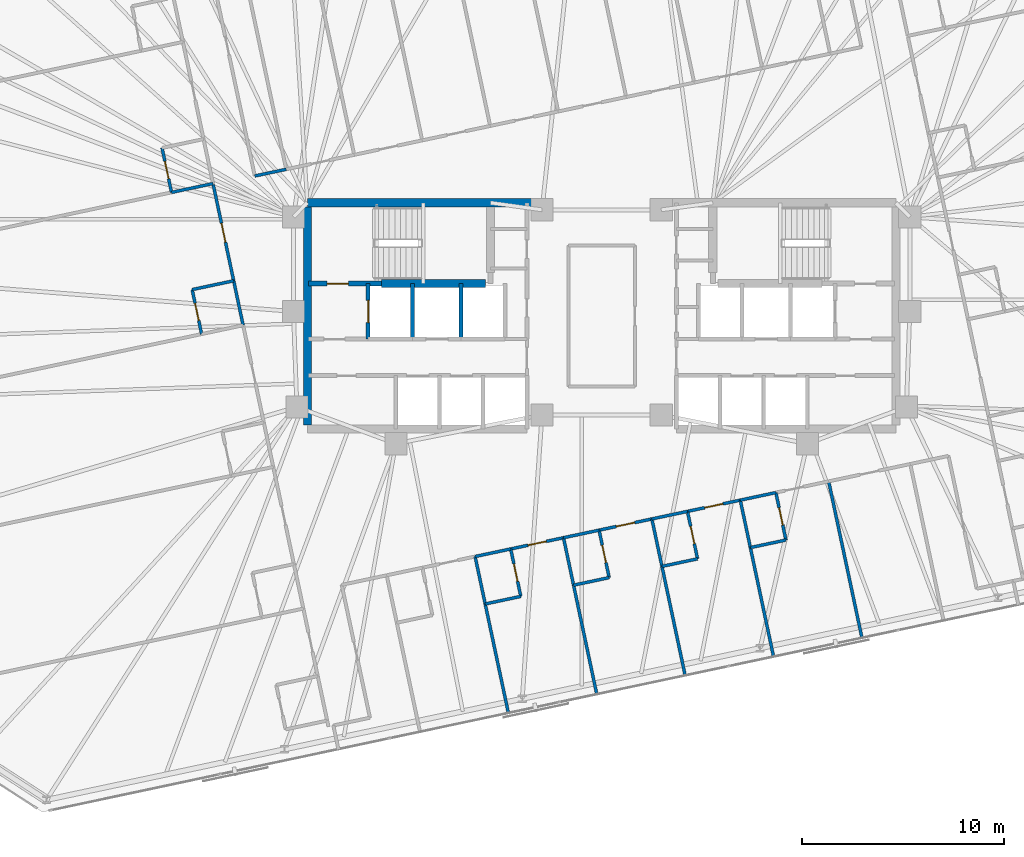
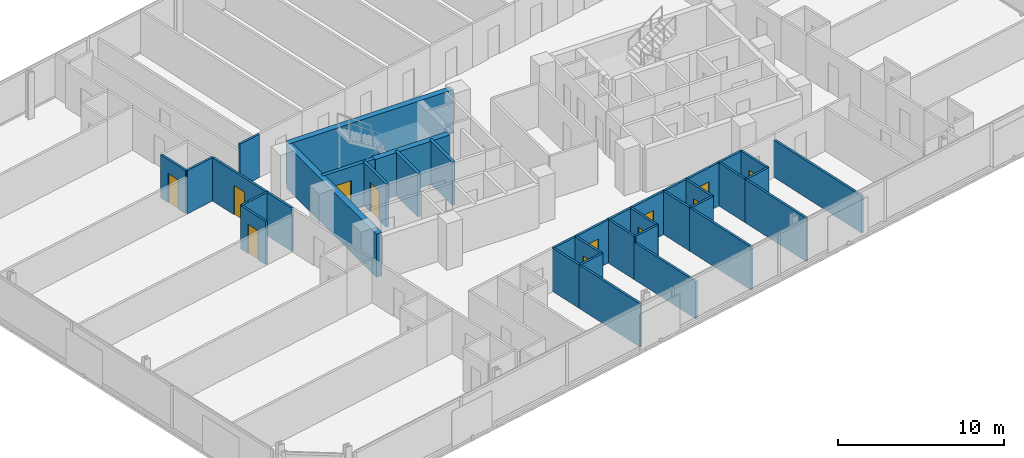
# One storey, part 15 of 21: 38 walls, 12 doors, 12 openings.
"""IFC4 building model written with IfcOpenShell, lengths in metres."""

from ifc_helpers import new_model, si_unit, direction, frame, frame_2d, origin, place, context, subcontext, project, spatial, rectangle, extrude, material, layer, layer_set, type_object, element, fill, save


model = new_model("IFC4")

# Units and contexts
model_context = context("Model", 3, precision=1e-05, world=origin(), true_north=direction((0.0, 1.0)))
body_context = subcontext(model_context, "Body", "Model", "MODEL_VIEW")
ifc_project = project(units=[si_unit("LENGTHUNIT", "METRE"), si_unit("AREAUNIT", "SQUARE_METRE"), si_unit("VOLUMEUNIT", "CUBIC_METRE"), si_unit("PLANEANGLEUNIT", "RADIAN"), si_unit("MASSUNIT", "GRAM", prefix="KILO")], contexts=[model_context])

# Site, building, storey
site_placement = place(None, origin())
site = spatial("IfcSite", under=ifc_project, at=site_placement, CompositionType="ELEMENT")
building_placement = place(site_placement, origin())
building = spatial("IfcBuilding", under=site, at=building_placement, Name="Menara Jurai Vektor", CompositionType="ELEMENT")
storey_placement = place(building_placement, frame((0.0, 0.0, 188.800048828125)))
storey = spatial("IfcBuildingStorey", under=building, at=storey_placement, Name="L49", CompositionType="ELEMENT", Elevation=188.800048828125)

# Wall, opening, door
ifc_material_1 = material(Name="Concrete C40/50", Category="concrete")
ifc_layer_1 = layer(ifc_material_1, 0.25)
ifc_layer_set_1 = layer_set([ifc_layer_1], Name="Concrete C40/50")
wall_type_1 = type_object("IfcWallType", Name="INT-WALL-CORE-250", PredefinedType="STANDARD", material=ifc_layer_set_1)
wall_1_placement = place(storey_placement, frame((-14.5, 1.60009765625, 0.0), z_axis=(0.0, 0.0, 1.0), x_axis=(1.0, 0.0, 0.0)))
wall_1 = element("IfcWall", 1, at=wall_1_placement, inside=storey, type_object=wall_type_1, Name="Interior Wall IW-250 L49", PredefinedType="STANDARD", context=body_context, shape_type="SweptSolid", body=[
    extrude(rectangle(XDim=3.60009765625, YDim=0.25, at=frame_2d((1.800048828125, 0.0))), origin(), (0.0, 0.0, 1.0), 3.175048828125),
])
opening_1_placement = place(wall_1_placement, frame((0.919921875, 0.0, 0.0)))
opening_1 = element("IfcOpeningElement", 2, at=opening_1_placement, cuts=wall_1, Name="Opening D-L49-ST1", PredefinedType="OPENING", context=body_context, shape_type="SweptSolid", body=[
    extrude(rectangle(XDim=1.050048828125, YDim=2.14990234375, at=frame_2d((0.52490234375, 1.074951171875))), frame((0.0, 0.135009765625, 0.0), z_axis=(0.0, -1.0, 0.0), x_axis=(1.0, 0.0, 0.0)), (0.0, 0.0, 1.0), 0.27001953125),
])
ifc_material_2 = material(Name="Fire-Rated Steel Door", Category="steel")
door_type_1 = type_object("IfcDoorType", Name="DR-STAIR-1050", OperationType="NOTDEFINED", PredefinedType="DOOR", material=ifc_material_2)
door_1_placement = place(opening_1_placement, origin())
door_1 = element("IfcDoor", 3, at=door_1_placement, inside=storey, type_object=door_type_1, Name="Exit Stair ST1 Door L49", OperationType="SINGLE_SWING_RIGHT", OverallHeight=2.14990234375, OverallWidth=1.050048828125, PredefinedType="DOOR", context=body_context, shape_type="SweptSolid", body=[
    extrude(rectangle(XDim=1.050048828125, YDim=2.14990234375, at=frame_2d((0.52490234375, 1.074951171875))), frame((0.0, 0.02490234375, 0.0), z_axis=(0.0, -1.0, 0.0), x_axis=(1.0, 0.0, 0.0)), (0.0, 0.0, 1.0), 0.050048828125),
])
fill(opening_1, door_1)

wall_2_placement = place(storey_placement, frame((-11.550048828125, -1.14990234375, 0.0), z_axis=(0.0, 0.0, 1.0), x_axis=(0.0, 1.0, 0.0)))
wall_2 = element("IfcWall", 4, at=wall_2_placement, inside=storey, type_object=wall_type_1, Name="Interior Wall IW-250 L49", PredefinedType="STANDARD", context=body_context, shape_type="SweptSolid", body=[
    extrude(rectangle(XDim=2.75, YDim=0.199951171875, at=frame_2d((1.375, 0.0))), origin(), (0.0, 0.0, 1.0), 3.175048828125),
])
opening_2_placement = place(wall_2_placement, frame((0.824951171875, 0.0, 0.0)))
opening_2 = element("IfcOpeningElement", 5, at=opening_2_placement, cuts=wall_2, Name="Opening LD-L49-FL1", PredefinedType="OPENING", context=body_context, shape_type="SweptSolid", body=[
    extrude(rectangle(XDim=1.10009765625, YDim=2.14990234375, at=frame_2d((0.550048828125, 1.074951171875))), frame((0.0, 0.10986328125, 0.0), z_axis=(0.0, -1.0, 0.0), x_axis=(1.0, 0.0, 0.0)), (0.0, 0.0, 1.0), 0.219970703125),
])
ifc_material_3 = material(Name="Stainless Steel Sliding Lift Landing Door", Category="steel")
door_type_2 = type_object("IfcDoorType", Name="DR-LIFT-FIRE-1100", OperationType="NOTDEFINED", PredefinedType="DOOR", material=ifc_material_3)
door_2_placement = place(opening_2_placement, origin())
door_2 = element("IfcDoor", 6, at=door_2_placement, inside=storey, type_object=door_type_2, Name="Lift Landing Door FL1 L49", OperationType="SLIDING_TO_RIGHT", OverallHeight=2.14990234375, OverallWidth=1.10009765625, PredefinedType="DOOR", context=body_context, shape_type="SweptSolid", body=[
    extrude(rectangle(XDim=1.10009765625, YDim=2.14990234375, at=frame_2d((0.550048828125, 1.074951171875))), frame((0.0, 0.02490234375, 0.0), z_axis=(0.0, -1.0, 0.0), x_axis=(1.0, 0.0, 0.0)), (0.0, 0.0, 1.0), 0.050048828125),
])
fill(opening_2, door_2)

# Walls
wall_3_placement = place(storey_placement, frame((-9.35009765625, -1.14990234375, 0.0), z_axis=(0.0, 0.0, 1.0), x_axis=(0.0, 1.0, 0.0)))
element("IfcWall", 7, at=wall_3_placement, inside=storey, type_object=wall_type_1, Name="Interior Wall IW-250 L49", PredefinedType="STANDARD", context=body_context, shape_type="SweptSolid", body=[
    extrude(rectangle(XDim=2.75, YDim=0.199951171875, at=frame_2d((1.375, 0.0))), origin(), (0.0, 0.0, 1.0), 3.175048828125),
])
ifc_material_4 = material(Name="Gypsum Fireboard Partition", Category="gypsum")
ifc_layer_2 = layer(ifc_material_4, 0.14990234375)
ifc_layer_set_2 = layer_set([ifc_layer_2], Name="Gypsum Fireboard Partition")
wall_type_2 = type_object("IfcWallType", Name="INT-WALL-CORR-150", PredefinedType="PARTITIONING", material=ifc_layer_set_2)
wall_4_placement = place(storey_placement, frame((-17.162353515625, 6.92578125, 0.0), z_axis=(0.0, 0.0, 1.0), x_axis=(0.978120566006, 0.208038838576, 0.0)))
element("IfcWall", 8, at=wall_4_placement, inside=storey, type_object=wall_type_2, Name="Interior Wall IW-150 L49", PredefinedType="PARTITIONING", context=body_context, shape_type="SweptSolid", body=[
    extrude(rectangle(XDim=1.5888671875, YDim=0.14990234375, at=frame_2d((0.79443359375, 0.0))), origin(), (0.0, 0.0, 1.0), 3.175048828125),
])

# Wall, opening, door
wall_5_placement = place(storey_placement, frame((-4.49951171875, -11.52978515625, 0.0), z_axis=(0.0, 0.0, 1.0), x_axis=(0.978139565144, 0.207949491702, 0.0)))
wall_5 = element("IfcWall", 9, at=wall_5_placement, inside=storey, type_object=wall_type_2, Name="Interior Wall IW-150 L49", PredefinedType="PARTITIONING", context=body_context, shape_type="SweptSolid", body=[
    extrude(rectangle(XDim=2.6708984375, YDim=0.14990234375, at=frame_2d((1.33544921875, 0.0))), origin(), (0.0, 0.0, 1.0), 3.175048828125),
])
opening_3_placement = place(wall_5_placement, frame((0.87548828125, 0.0, 0.0)))
opening_3 = element("IfcOpeningElement", 10, at=opening_3_placement, cuts=wall_5, Name="Opening D49-22", PredefinedType="OPENING", context=body_context, shape_type="SweptSolid", body=[
    extrude(rectangle(XDim=0.919921875, YDim=2.14990234375, at=frame_2d((0.4599609375, 1.074951171875))), frame((0.0, 0.0849609375, 0.0), z_axis=(0.0, -1.0, 0.0), x_axis=(1.0, 0.0, 0.0)), (0.0, 0.0, 1.0), 0.169921875),
])
ifc_material_5 = material(Name="Solid Core Timber Fire Door", Category="wood")
door_type_3 = type_object("IfcDoorType", Name="DR-ENTRY-950", OperationType="NOTDEFINED", PredefinedType="DOOR", material=ifc_material_5)
door_3_placement = place(opening_3_placement, origin())
door_3 = element("IfcDoor", 11, at=door_3_placement, inside=storey, type_object=door_type_3, Name="Interior Door D49-22", OperationType="SINGLE_SWING_LEFT", OverallHeight=2.14990234375, OverallWidth=0.919921875, PredefinedType="DOOR", context=body_context, shape_type="SweptSolid", body=[
    extrude(rectangle(XDim=0.919921875, YDim=2.14990234375, at=frame_2d((0.4599609375, 1.074951171875))), frame((0.0, 0.02490234375, 0.0), z_axis=(0.0, -1.0, 0.0), x_axis=(1.0, 0.0, 0.0)), (0.0, 0.0, 1.0), 0.050048828125),
])
fill(opening_3, door_3)

# Wall
wall_6_placement = place(storey_placement, frame((-6.26025390625, -11.90380859375, 0.0), z_axis=(0.0, 0.0, 1.0), x_axis=(0.978174015353, 0.207787380965, 0.0)))
element("IfcWall", 12, at=wall_6_placement, inside=storey, type_object=wall_type_2, Name="Interior Wall IW-150 L49", PredefinedType="PARTITIONING", context=body_context, shape_type="SweptSolid", body=[
    extrude(rectangle(XDim=1.800048828125, YDim=0.14990234375, at=frame_2d((0.89990234375, 0.0))), origin(), (0.0, 0.0, 1.0), 3.175048828125),
])

# Wall, opening, door
wall_7_placement = place(storey_placement, frame((-0.126220703125, -10.60009765625, 0.0), z_axis=(0.0, 0.0, 1.0), x_axis=(0.978158153975, 0.207862035524, 0.0)))
wall_7 = element("IfcWall", 13, at=wall_7_placement, inside=storey, type_object=wall_type_2, Name="Interior Wall IW-150 L49", PredefinedType="PARTITIONING", context=body_context, shape_type="SweptSolid", body=[
    extrude(rectangle(XDim=2.6708984375, YDim=0.14990234375, at=frame_2d((1.33544921875, 0.0))), origin(), (0.0, 0.0, 1.0), 3.175048828125),
])
opening_4_placement = place(wall_7_placement, frame((0.87548828125, 0.0, 0.0)))
opening_4 = element("IfcOpeningElement", 14, at=opening_4_placement, cuts=wall_7, Name="Opening D49-24", PredefinedType="OPENING", context=body_context, shape_type="SweptSolid", body=[
    extrude(rectangle(XDim=0.919921875, YDim=2.14990234375, at=frame_2d((0.4599609375, 1.074951171875))), frame((0.0, 0.0849609375, 0.0), z_axis=(0.0, -1.0, 0.0), x_axis=(1.0, 0.0, 0.0)), (0.0, 0.0, 1.0), 0.169921875),
])
door_4_placement = place(opening_4_placement, origin())
door_4 = element("IfcDoor", 15, at=door_4_placement, inside=storey, type_object=door_type_3, Name="Interior Door D49-24", OperationType="SINGLE_SWING_LEFT", OverallHeight=2.14990234375, OverallWidth=0.919921875, PredefinedType="DOOR", context=body_context, shape_type="SweptSolid", body=[
    extrude(rectangle(XDim=0.919921875, YDim=2.14990234375, at=frame_2d((0.4599609375, 1.074951171875))), frame((0.0, 0.02490234375, 0.0), z_axis=(0.0, -1.0, 0.0), x_axis=(1.0, 0.0, 0.0)), (0.0, 0.0, 1.0), 0.050048828125),
])
fill(opening_4, door_4)

# Wall
wall_8_placement = place(storey_placement, frame((-1.886962890625, -10.974365234375, 0.0), z_axis=(0.0, 0.0, 1.0), x_axis=(0.978146440129, 0.207917150959, 0.0)))
element("IfcWall", 16, at=wall_8_placement, inside=storey, type_object=wall_type_2, Name="Interior Wall IW-150 L49", PredefinedType="PARTITIONING", context=body_context, shape_type="SweptSolid", body=[
    extrude(rectangle(XDim=1.800048828125, YDim=0.14990234375, at=frame_2d((0.89990234375, 0.0))), origin(), (0.0, 0.0, 1.0), 3.175048828125),
])

# Wall, opening, door
wall_9_placement = place(storey_placement, frame((4.2470703125, -9.67041015625, 0.0), z_axis=(0.0, 0.0, 1.0), x_axis=(0.978155367406, 0.207875148141, 0.0)))
wall_9 = element("IfcWall", 17, at=wall_9_placement, inside=storey, type_object=wall_type_2, Name="Interior Wall IW-150 L49", PredefinedType="PARTITIONING", context=body_context, shape_type="SweptSolid", body=[
    extrude(rectangle(XDim=2.671875, YDim=0.14990234375, at=frame_2d((1.3359375, 0.0))), origin(), (0.0, 0.0, 1.0), 3.175048828125),
])
opening_5_placement = place(wall_9_placement, frame((0.8759765625, 0.0, 0.0)))
opening_5 = element("IfcOpeningElement", 18, at=opening_5_placement, cuts=wall_9, Name="Opening D49-26", PredefinedType="OPENING", context=body_context, shape_type="SweptSolid", body=[
    extrude(rectangle(XDim=0.919921875, YDim=2.14990234375, at=frame_2d((0.4599609375, 1.074951171875))), frame((0.0, 0.0849609375, 0.0), z_axis=(0.0, -1.0, 0.0), x_axis=(1.0, 0.0, 0.0)), (0.0, 0.0, 1.0), 0.169921875),
])
door_5_placement = place(opening_5_placement, origin())
door_5 = element("IfcDoor", 19, at=door_5_placement, inside=storey, type_object=door_type_3, Name="Interior Door D49-26", OperationType="SINGLE_SWING_LEFT", OverallHeight=2.14990234375, OverallWidth=0.919921875, PredefinedType="DOOR", context=body_context, shape_type="SweptSolid", body=[
    extrude(rectangle(XDim=0.919921875, YDim=2.14990234375, at=frame_2d((0.4599609375, 1.074951171875))), frame((0.0, 0.02490234375, 0.0), z_axis=(0.0, -1.0, 0.0), x_axis=(1.0, 0.0, 0.0)), (0.0, 0.0, 1.0), 0.050048828125),
])
fill(opening_5, door_5)

# Walls
for number, where, z_axis, x_axis, name in (
    (20, (2.486328125, -10.044921875, 0.0), (0.0, 0.0, 1.0), (0.978118849246, 0.208046909975, 0.0), "Interior Wall IW-150 L49"),
    (21, (6.860595703125, -9.114990234375, 0.0), (0.0, 0.0, 1.0), (0.978146440129, 0.207917150959, 0.0), "Interior Wall IW-150 L49"),
):
    element("IfcWall", number, at=place(storey_placement, frame(where, z_axis=z_axis, x_axis=x_axis)), inside=storey, type_object=wall_type_2, Name=name, PredefinedType="PARTITIONING", context=body_context, shape_type="SweptSolid", body=[
        extrude(rectangle(XDim=1.800048828125, YDim=0.14990234375, at=frame_2d((0.89990234375, 0.0))), origin(), (0.0, 0.0, 1.0), 3.175048828125),
    ])

# Wall, opening, door
wall_10_placement = place(storey_placement, frame((-18.20703125, 1.740478515625, 0.0), z_axis=(0.0, 0.0, 1.0), x_axis=(-0.20793874598, 0.97814184959, 0.0)))
wall_10 = element("IfcWall", 22, at=wall_10_placement, inside=storey, type_object=wall_type_2, Name="Interior Wall IW-150 L49", PredefinedType="PARTITIONING", context=body_context, shape_type="SweptSolid", body=[
    extrude(rectangle(XDim=4.85498046875, YDim=0.14990234375, at=frame_2d((2.427490234375, 0.0))), origin(), (0.0, 0.0, 1.0), 3.175048828125),
])
opening_6_placement = place(wall_10_placement, frame((1.952392578125, 0.0, 0.0)))
opening_6 = element("IfcOpeningElement", 23, at=opening_6_placement, cuts=wall_10, Name="Opening D49-38", PredefinedType="OPENING", context=body_context, shape_type="SweptSolid", body=[
    extrude(rectangle(XDim=0.949951171875, YDim=2.14990234375, at=frame_2d((0.47509765625, 1.074951171875))), frame((0.0, 0.0849609375, 0.0), z_axis=(0.0, -1.0, 0.0), x_axis=(1.0, 0.0, 0.0)), (0.0, 0.0, 1.0), 0.169921875),
])
door_6_placement = place(opening_6_placement, origin())
door_6 = element("IfcDoor", 24, at=door_6_placement, inside=storey, type_object=door_type_3, Name="Interior Door D49-38", OperationType="SINGLE_SWING_LEFT", OverallHeight=2.14990234375, OverallWidth=0.949951171875, PredefinedType="DOOR", context=body_context, shape_type="SweptSolid", body=[
    extrude(rectangle(XDim=0.949951171875, YDim=2.14990234375, at=frame_2d((0.47509765625, 1.074951171875))), frame((0.0, 0.02490234375, 0.0), z_axis=(0.0, -1.0, 0.0), x_axis=(1.0, 0.0, 0.0)), (0.0, 0.0, 1.0), 0.050048828125),
])
fill(opening_6, door_6)

# Walls
wall_11_placement = place(storey_placement, frame((-17.7392578125, -0.46044921875, 0.0), z_axis=(0.0, 0.0, 1.0), x_axis=(-0.207891197838, 0.978151956427, 0.0)))
element("IfcWall", 25, at=wall_11_placement, inside=storey, type_object=wall_type_2, Name="Interior Wall IW-150 L49", PredefinedType="PARTITIONING", context=body_context, shape_type="SweptSolid", body=[
    extrude(rectangle(XDim=2.25, YDim=0.14990234375, at=frame_2d((1.125, 0.0))), origin(), (0.0, 0.0, 1.0), 3.175048828125),
])
wall_12_placement = place(storey_placement, frame((-4.613525390625, -19.65087890625, 0.0), z_axis=(0.0, 0.0, 1.0), x_axis=(-0.20791588359, 0.978146709523, 0.0)))
element("IfcWall", 26, at=wall_12_placement, inside=storey, type_object=wall_type_2, Name="Interior Wall IW-150 L49", PredefinedType="PARTITIONING", context=body_context, shape_type="SweptSolid", body=[
    extrude(rectangle(XDim=5.52001953125, YDim=0.14990234375, at=frame_2d((2.760009765625, 0.0))), origin(), (0.0, 0.0, 1.0), 3.175048828125),
])
wall_13_placement = place(storey_placement, frame((-5.76123046875, -14.25146484375, 0.0), z_axis=(0.0, 0.0, 1.0), x_axis=(-0.207917150959, 0.978146440129, 0.0)))
element("IfcWall", 27, at=wall_13_placement, inside=storey, type_object=wall_type_2, Name="Interior Wall IW-150 L49", PredefinedType="PARTITIONING", context=body_context, shape_type="SweptSolid", body=[
    extrude(rectangle(XDim=2.400146484375, YDim=0.14990234375, at=frame_2d((1.2001953125, 0.0))), origin(), (0.0, 0.0, 1.0), 3.175048828125),
])
wall_14_placement = place(storey_placement, frame((-5.76123046875, -14.25146484375, 0.0), z_axis=(0.0, 0.0, 1.0), x_axis=(0.978146440129, 0.207917150959, 0.0)))
element("IfcWall", 28, at=wall_14_placement, inside=storey, type_object=wall_type_2, Name="Interior Wall IW-150 L49", PredefinedType="PARTITIONING", context=body_context, shape_type="SweptSolid", body=[
    extrude(rectangle(XDim=1.800048828125, YDim=0.14990234375, at=frame_2d((0.89990234375, 0.0))), origin(), (0.0, 0.0, 1.0), 3.175048828125),
])

# Wall, opening, door
wall_15_placement = place(storey_placement, frame((-4.00048828125, -13.877197265625, 0.0), z_axis=(0.0, 0.0, 1.0), x_axis=(-0.207937840262, 0.978142042133, 0.0)))
wall_15 = element("IfcWall", 29, at=wall_15_placement, inside=storey, type_object=wall_type_2, Name="Interior Wall IW-150 L49", PredefinedType="PARTITIONING", context=body_context, shape_type="SweptSolid", body=[
    extrude(rectangle(XDim=2.39990234375, YDim=0.14990234375, at=frame_2d((1.199951171875, 0.0))), origin(), (0.0, 0.0, 1.0), 3.175048828125),
])
opening_7_placement = place(wall_15_placement, frame((0.760009765625, 0.0, 0.0)))
opening_7 = element("IfcOpeningElement", 30, at=opening_7_placement, cuts=wall_15, Name="Opening D49-23", PredefinedType="OPENING", context=body_context, shape_type="SweptSolid", body=[
    extrude(rectangle(XDim=0.8798828125, YDim=2.14990234375, at=frame_2d((0.43994140625, 1.074951171875))), frame((0.0, 0.0849609375, 0.0), z_axis=(0.0, -1.0, 0.0), x_axis=(1.0, 0.0, 0.0)), (0.0, 0.0, 1.0), 0.169921875),
])
ifc_material_6 = material(Name="Moisture-Resistant Timber Door", Category="wood")
door_type_4 = type_object("IfcDoorType", Name="DR-BATH-880", OperationType="NOTDEFINED", PredefinedType="DOOR", material=ifc_material_6)
door_7_placement = place(opening_7_placement, origin())
door_7 = element("IfcDoor", 31, at=door_7_placement, inside=storey, type_object=door_type_4, Name="Interior Door D49-23", OperationType="SINGLE_SWING_RIGHT", OverallHeight=2.14990234375, OverallWidth=0.8798828125, PredefinedType="DOOR", context=body_context, shape_type="SweptSolid", body=[
    extrude(rectangle(XDim=0.8798828125, YDim=2.14990234375, at=frame_2d((0.43994140625, 1.074951171875))), frame((0.0, 0.02490234375, 0.0), z_axis=(0.0, -1.0, 0.0), x_axis=(1.0, 0.0, 0.0)), (0.0, 0.0, 1.0), 0.050048828125),
])
fill(opening_7, door_7)

# Walls
wall_16_placement = place(storey_placement, frame((-1.387939453125, -13.322021484375, 0.0), z_axis=(0.0, 0.0, 1.0), x_axis=(-0.207917150959, 0.978146440129, 0.0)))
element("IfcWall", 32, at=wall_16_placement, inside=storey, type_object=wall_type_2, Name="Interior Wall IW-150 L49", PredefinedType="PARTITIONING", context=body_context, shape_type="SweptSolid", body=[
    extrude(rectangle(XDim=2.400146484375, YDim=0.14990234375, at=frame_2d((1.2001953125, 0.0))), origin(), (0.0, 0.0, 1.0), 3.175048828125),
])
wall_17_placement = place(storey_placement, frame((-1.387939453125, -13.322021484375, 0.0), z_axis=(0.0, 0.0, 1.0), x_axis=(0.978118849246, 0.208046909975, 0.0)))
element("IfcWall", 33, at=wall_17_placement, inside=storey, type_object=wall_type_2, Name="Interior Wall IW-150 L49", PredefinedType="PARTITIONING", context=body_context, shape_type="SweptSolid", body=[
    extrude(rectangle(XDim=1.800048828125, YDim=0.14990234375, at=frame_2d((0.89990234375, 0.0))), origin(), (0.0, 0.0, 1.0), 3.175048828125),
])

# Wall, opening, door
wall_18_placement = place(storey_placement, frame((0.372802734375, -12.947509765625, 0.0), z_axis=(0.0, 0.0, 1.0), x_axis=(-0.207937840262, 0.978142042133, 0.0)))
wall_18 = element("IfcWall", 34, at=wall_18_placement, inside=storey, type_object=wall_type_2, Name="Interior Wall IW-150 L49", PredefinedType="PARTITIONING", context=body_context, shape_type="SweptSolid", body=[
    extrude(rectangle(XDim=2.39990234375, YDim=0.14990234375, at=frame_2d((1.199951171875, 0.0))), origin(), (0.0, 0.0, 1.0), 3.175048828125),
])
opening_8_placement = place(wall_18_placement, frame((0.760009765625, 0.0, 0.0)))
opening_8 = element("IfcOpeningElement", 35, at=opening_8_placement, cuts=wall_18, Name="Opening D49-25", PredefinedType="OPENING", context=body_context, shape_type="SweptSolid", body=[
    extrude(rectangle(XDim=0.8798828125, YDim=2.14990234375, at=frame_2d((0.43994140625, 1.074951171875))), frame((0.0, 0.0849609375, 0.0), z_axis=(0.0, -1.0, 0.0), x_axis=(1.0, 0.0, 0.0)), (0.0, 0.0, 1.0), 0.169921875),
])
door_8_placement = place(opening_8_placement, origin())
door_8 = element("IfcDoor", 36, at=door_8_placement, inside=storey, type_object=door_type_4, Name="Interior Door D49-25", OperationType="SINGLE_SWING_RIGHT", OverallHeight=2.14990234375, OverallWidth=0.8798828125, PredefinedType="DOOR", context=body_context, shape_type="SweptSolid", body=[
    extrude(rectangle(XDim=0.8798828125, YDim=2.14990234375, at=frame_2d((0.43994140625, 1.074951171875))), frame((0.0, 0.02490234375, 0.0), z_axis=(0.0, -1.0, 0.0), x_axis=(1.0, 0.0, 0.0)), (0.0, 0.0, 1.0), 0.050048828125),
])
fill(opening_8, door_8)

# Walls
wall_19_placement = place(storey_placement, frame((4.133056640625, -17.791748046875, 0.0), z_axis=(0.0, 0.0, 1.0), x_axis=(-0.20791588359, 0.978146709523, 0.0)))
element("IfcWall", 37, at=wall_19_placement, inside=storey, type_object=wall_type_2, Name="Interior Wall IW-150 L49", PredefinedType="PARTITIONING", context=body_context, shape_type="SweptSolid", body=[
    extrude(rectangle(XDim=5.52001953125, YDim=0.14990234375, at=frame_2d((2.760009765625, 0.0))), origin(), (0.0, 0.0, 1.0), 3.175048828125),
])
wall_20_placement = place(storey_placement, frame((2.9853515625, -12.392333984375, 0.0), z_axis=(0.0, 0.0, 1.0), x_axis=(-0.207937840262, 0.978142042133, 0.0)))
element("IfcWall", 38, at=wall_20_placement, inside=storey, type_object=wall_type_2, Name="Interior Wall IW-150 L49", PredefinedType="PARTITIONING", context=body_context, shape_type="SweptSolid", body=[
    extrude(rectangle(XDim=2.39990234375, YDim=0.14990234375, at=frame_2d((1.199951171875, 0.0))), origin(), (0.0, 0.0, 1.0), 3.175048828125),
])
wall_21_placement = place(storey_placement, frame((2.9853515625, -12.392333984375, 0.0), z_axis=(0.0, 0.0, 1.0), x_axis=(0.978146440129, 0.207917150959, 0.0)))
element("IfcWall", 39, at=wall_21_placement, inside=storey, type_object=wall_type_2, Name="Interior Wall IW-150 L49", PredefinedType="PARTITIONING", context=body_context, shape_type="SweptSolid", body=[
    extrude(rectangle(XDim=1.800048828125, YDim=0.14990234375, at=frame_2d((0.89990234375, 0.0))), origin(), (0.0, 0.0, 1.0), 3.175048828125),
])

# Wall, opening, door
wall_22_placement = place(storey_placement, frame((4.74609375, -12.01806640625, 0.0), z_axis=(0.0, 0.0, 1.0), x_axis=(-0.207917150959, 0.978146440129, 0.0)))
wall_22 = element("IfcWall", 40, at=wall_22_placement, inside=storey, type_object=wall_type_2, Name="Interior Wall IW-150 L49", PredefinedType="PARTITIONING", context=body_context, shape_type="SweptSolid", body=[
    extrude(rectangle(XDim=2.400146484375, YDim=0.14990234375, at=frame_2d((1.2001953125, 0.0))), origin(), (0.0, 0.0, 1.0), 3.175048828125),
])
opening_9_placement = place(wall_22_placement, frame((0.760009765625, 0.0, 0.0)))
opening_9 = element("IfcOpeningElement", 41, at=opening_9_placement, cuts=wall_22, Name="Opening D49-27", PredefinedType="OPENING", context=body_context, shape_type="SweptSolid", body=[
    extrude(rectangle(XDim=0.8798828125, YDim=2.14990234375, at=frame_2d((0.43994140625, 1.074951171875))), frame((0.0, 0.0849609375, 0.0), z_axis=(0.0, -1.0, 0.0), x_axis=(1.0, 0.0, 0.0)), (0.0, 0.0, 1.0), 0.169921875),
])
door_9_placement = place(opening_9_placement, origin())
door_9 = element("IfcDoor", 42, at=door_9_placement, inside=storey, type_object=door_type_4, Name="Interior Door D49-27", OperationType="SINGLE_SWING_RIGHT", OverallHeight=2.14990234375, OverallWidth=0.8798828125, PredefinedType="DOOR", context=body_context, shape_type="SweptSolid", body=[
    extrude(rectangle(XDim=0.8798828125, YDim=2.14990234375, at=frame_2d((0.43994140625, 1.074951171875))), frame((0.0, 0.02490234375, 0.0), z_axis=(0.0, -1.0, 0.0), x_axis=(1.0, 0.0, 0.0)), (0.0, 0.0, 1.0), 0.050048828125),
])
fill(opening_9, door_9)

# Walls
wall_23_placement = place(storey_placement, frame((8.50732421875, -16.86181640625, 0.0), z_axis=(0.0, 0.0, 1.0), x_axis=(-0.20791588359, 0.978146709523, 0.0)))
element("IfcWall", 43, at=wall_23_placement, inside=storey, type_object=wall_type_2, Name="Interior Wall IW-150 L49", PredefinedType="PARTITIONING", context=body_context, shape_type="SweptSolid", body=[
    extrude(rectangle(XDim=5.52001953125, YDim=0.14990234375, at=frame_2d((2.760009765625, 0.0))), origin(), (0.0, 0.0, 1.0), 3.175048828125),
])
wall_24_placement = place(storey_placement, frame((7.359619140625, -11.46240234375, 0.0), z_axis=(0.0, 0.0, 1.0), x_axis=(-0.207937840262, 0.978142042133, 0.0)))
element("IfcWall", 44, at=wall_24_placement, inside=storey, type_object=wall_type_2, Name="Interior Wall IW-150 L49", PredefinedType="PARTITIONING", context=body_context, shape_type="SweptSolid", body=[
    extrude(rectangle(XDim=2.39990234375, YDim=0.14990234375, at=frame_2d((1.199951171875, 0.0))), origin(), (0.0, 0.0, 1.0), 3.175048828125),
])
wall_25_placement = place(storey_placement, frame((7.359619140625, -11.46240234375, 0.0), z_axis=(0.0, 0.0, 1.0), x_axis=(0.978174015353, 0.207787380965, 0.0)))
element("IfcWall", 45, at=wall_25_placement, inside=storey, type_object=wall_type_2, Name="Interior Wall IW-150 L49", PredefinedType="PARTITIONING", context=body_context, shape_type="SweptSolid", body=[
    extrude(rectangle(XDim=1.800048828125, YDim=0.14990234375, at=frame_2d((0.89990234375, 0.0))), origin(), (0.0, 0.0, 1.0), 3.175048828125),
])

# Wall, opening, door
wall_26_placement = place(storey_placement, frame((9.120361328125, -11.08837890625, 0.0), z_axis=(0.0, 0.0, 1.0), x_axis=(-0.207917150959, 0.978146440129, 0.0)))
wall_26 = element("IfcWall", 46, at=wall_26_placement, inside=storey, type_object=wall_type_2, Name="Interior Wall IW-150 L49", PredefinedType="PARTITIONING", context=body_context, shape_type="SweptSolid", body=[
    extrude(rectangle(XDim=2.400146484375, YDim=0.14990234375, at=frame_2d((1.2001953125, 0.0))), origin(), (0.0, 0.0, 1.0), 3.175048828125),
])
opening_10_placement = place(wall_26_placement, frame((0.760009765625, 0.0, 0.0)))
opening_10 = element("IfcOpeningElement", 47, at=opening_10_placement, cuts=wall_26, Name="Opening D49-29", PredefinedType="OPENING", context=body_context, shape_type="SweptSolid", body=[
    extrude(rectangle(XDim=0.8798828125, YDim=2.14990234375, at=frame_2d((0.43994140625, 1.074951171875))), frame((0.0, 0.0849609375, 0.0), z_axis=(0.0, -1.0, 0.0), x_axis=(1.0, 0.0, 0.0)), (0.0, 0.0, 1.0), 0.169921875),
])
door_10_placement = place(opening_10_placement, origin())
door_10 = element("IfcDoor", 48, at=door_10_placement, inside=storey, type_object=door_type_4, Name="Interior Door D49-29", OperationType="SINGLE_SWING_RIGHT", OverallHeight=2.14990234375, OverallWidth=0.8798828125, PredefinedType="DOOR", context=body_context, shape_type="SweptSolid", body=[
    extrude(rectangle(XDim=0.8798828125, YDim=2.14990234375, at=frame_2d((0.43994140625, 1.074951171875))), frame((0.0, 0.02490234375, 0.0), z_axis=(0.0, -1.0, 0.0), x_axis=(1.0, 0.0, 0.0)), (0.0, 0.0, 1.0), 0.050048828125),
])
fill(opening_10, door_10)

wall_27_placement = place(storey_placement, frame((-19.79345703125, -0.897216796875, 0.0), z_axis=(0.0, 0.0, 1.0), x_axis=(-0.207891197838, 0.978151956427, 0.0)))
wall_27 = element("IfcWall", 49, at=wall_27_placement, inside=storey, type_object=wall_type_2, Name="Interior Wall IW-150 L49", PredefinedType="PARTITIONING", context=body_context, shape_type="SweptSolid", body=[
    extrude(rectangle(XDim=2.25, YDim=0.14990234375, at=frame_2d((1.125, 0.0))), origin(), (0.0, 0.0, 1.0), 3.175048828125),
])
opening_11_placement = place(wall_27_placement, frame((0.68505859375, 0.0, 0.0)))
opening_11 = element("IfcOpeningElement", 50, at=opening_11_placement, cuts=wall_27, Name="Opening D49-39", PredefinedType="OPENING", context=body_context, shape_type="SweptSolid", body=[
    extrude(rectangle(XDim=0.8798828125, YDim=2.14990234375, at=frame_2d((0.43994140625, 1.074951171875))), frame((0.0, 0.0849609375, 0.0), z_axis=(0.0, -1.0, 0.0), x_axis=(1.0, 0.0, 0.0)), (0.0, 0.0, 1.0), 0.169921875),
])
door_11_placement = place(opening_11_placement, origin())
door_11 = element("IfcDoor", 51, at=door_11_placement, inside=storey, type_object=door_type_4, Name="Interior Door D49-39", OperationType="SINGLE_SWING_RIGHT", OverallHeight=2.14990234375, OverallWidth=0.8798828125, PredefinedType="DOOR", context=body_context, shape_type="SweptSolid", body=[
    extrude(rectangle(XDim=0.8798828125, YDim=2.14990234375, at=frame_2d((0.43994140625, 1.074951171875))), frame((0.0, 0.02490234375, 0.0), z_axis=(0.0, -1.0, 0.0), x_axis=(1.0, 0.0, 0.0)), (0.0, 0.0, 1.0), 0.050048828125),
])
fill(opening_11, door_11)

# Walls
wall_28_placement = place(storey_placement, frame((-20.26123046875, 1.3037109375, 0.0), z_axis=(0.0, 0.0, 1.0), x_axis=(0.978134617382, 0.207972763311, 0.0)))
element("IfcWall", 52, at=wall_28_placement, inside=storey, type_object=wall_type_2, Name="Interior Wall IW-150 L49", PredefinedType="PARTITIONING", context=body_context, shape_type="SweptSolid", body=[
    extrude(rectangle(XDim=2.10009765625, YDim=0.14990234375, at=frame_2d((1.050048828125, 0.0))), origin(), (0.0, 0.0, 1.0), 3.175048828125),
])
wall_29_placement = place(storey_placement, frame((-21.283447265625, 6.11328125, 0.0), z_axis=(0.0, 0.0, 1.0), x_axis=(0.978153236239, 0.207885176084, 0.0)))
element("IfcWall", 53, at=wall_29_placement, inside=storey, type_object=wall_type_2, Name="Interior Wall IW-150 L49", PredefinedType="PARTITIONING", context=body_context, shape_type="SweptSolid", body=[
    extrude(rectangle(XDim=2.099853515625, YDim=0.14990234375, at=frame_2d((1.0498046875, 0.0))), origin(), (0.0, 0.0, 1.0), 3.175048828125),
])

# Wall, opening, door
wall_30_placement = place(storey_placement, frame((-21.283447265625, 6.11328125, 0.0), z_axis=(0.0, 0.0, 1.0), x_axis=(-0.207891197838, 0.978151956427, 0.0)))
wall_30 = element("IfcWall", 54, at=wall_30_placement, inside=storey, type_object=wall_type_2, Name="Interior Wall IW-150 L49", PredefinedType="PARTITIONING", context=body_context, shape_type="SweptSolid", body=[
    extrude(rectangle(XDim=2.25, YDim=0.14990234375, at=frame_2d((1.125, 0.0))), origin(), (0.0, 0.0, 1.0), 3.175048828125),
])
opening_12_placement = place(wall_30_placement, frame((0.68505859375, 0.0, 0.0)))
opening_12 = element("IfcOpeningElement", 55, at=opening_12_placement, cuts=wall_30, Name="Opening D49-41", PredefinedType="OPENING", context=body_context, shape_type="SweptSolid", body=[
    extrude(rectangle(XDim=0.8798828125, YDim=2.14990234375, at=frame_2d((0.43994140625, 1.074951171875))), frame((0.0, 0.0849609375, 0.0), z_axis=(0.0, -1.0, 0.0), x_axis=(1.0, 0.0, 0.0)), (0.0, 0.0, 1.0), 0.169921875),
])
door_12_placement = place(opening_12_placement, origin())
door_12 = element("IfcDoor", 56, at=door_12_placement, inside=storey, type_object=door_type_4, Name="Interior Door D49-41", OperationType="SINGLE_SWING_RIGHT", OverallHeight=2.14990234375, OverallWidth=0.8798828125, PredefinedType="DOOR", context=body_context, shape_type="SweptSolid", body=[
    extrude(rectangle(XDim=0.8798828125, YDim=2.14990234375, at=frame_2d((0.43994140625, 1.074951171875))), frame((0.0, 0.02490234375, 0.0), z_axis=(0.0, -1.0, 0.0), x_axis=(1.0, 0.0, 0.0)), (0.0, 0.0, 1.0), 0.050048828125),
])
fill(opening_12, door_12)

# Walls
ifc_layer_3 = layer(ifc_material_4, 0.14990234375)
ifc_layer_set_3 = layer_set([ifc_layer_3], Name="Gypsum Fireboard Partition")
wall_type_3 = type_object("IfcWallType", Name="INT-WALL-CORR-150-H1", PredefinedType="PARTITIONING", material=ifc_layer_set_3)
wall_31_placement = place(storey_placement, frame((-0.240234375, -18.72119140625, 0.0), z_axis=(0.0, 0.0, 1.0), x_axis=(-0.20792487872, 0.978144797466, 0.0)))
element("IfcWall", 57, at=wall_31_placement, inside=storey, type_object=wall_type_3, Name="Interior Wall IW-150 L49", PredefinedType="PARTITIONING", context=body_context, shape_type="SweptSolid", body=[
    extrude(rectangle(XDim=5.519775390625, YDim=0.14990234375, at=frame_2d((2.759765625, 0.0))), origin(), (0.0, 0.0, 1.0), 2.724853515625),
])
wall_32_placement = place(storey_placement, frame((12.880615234375, -15.932373046875, 0.0), z_axis=(0.0, 0.0, 1.0), x_axis=(-0.207916267651, 0.978146627887, 0.0)))
element("IfcWall", 58, at=wall_32_placement, inside=storey, type_object=wall_type_3, Name="Interior Wall IW-150 L49", PredefinedType="PARTITIONING", context=body_context, shape_type="SweptSolid", body=[
    extrude(rectangle(XDim=7.920166015625, YDim=0.14990234375, at=frame_2d((3.9599609375, 0.0))), origin(), (0.0, 0.0, 1.0), 2.724853515625),
])
ifc_layer_4 = layer(ifc_material_1, 0.199951171875)
ifc_layer_set_4 = layer_set([ifc_layer_4], Name="Concrete C40/50")
wall_type_4 = type_object("IfcWallType", Name="INT-WALL-SHAFT-200", PredefinedType="STANDARD", material=ifc_layer_set_4)
wall_33_placement = place(storey_placement, frame((-6.949951171875, -1.14990234375, 0.0), z_axis=(0.0, 0.0, 1.0), x_axis=(0.0, 1.0, 0.0)))
element("IfcWall", 59, at=wall_33_placement, inside=storey, type_object=wall_type_4, Name="Interior Wall IW-200 L49", PredefinedType="STANDARD", context=body_context, shape_type="SweptSolid", body=[
    extrude(rectangle(XDim=2.75, YDim=0.199951171875, at=frame_2d((1.375, 0.0))), origin(), (0.0, 0.0, 1.0), 3.175048828125),
])
ifc_material_7 = material(Name="Concrete C50/60", Category="concrete")
ifc_layer_5 = layer(ifc_material_7, 0.39990234375)
ifc_layer_set_5 = layer_set([ifc_layer_5], Name="Concrete C50/60")
wall_type_5 = type_object("IfcWallType", Name="STR-WALL-CORE400", PredefinedType="SHEAR", material=ifc_layer_set_5)
wall_34_placement = place(storey_placement, frame((-14.56005859375, 5.60009765625, 0.0), z_axis=(0.0, 0.0, 1.0), x_axis=(1.0, 0.0, 0.0)))
element("IfcWall", 60, at=wall_34_placement, inside=storey, type_object=wall_type_5, Name="Core Shear Wall CW-W-N L49", PredefinedType="SHEAR", context=body_context, shape_type="SweptSolid", body=[
    extrude(rectangle(XDim=11.41015625, YDim=0.39990234375, at=frame_2d((5.705078125, 0.0))), origin(), (0.0, 0.0, 1.0), 3.175048828125),
])
wall_35_placement = place(storey_placement, frame((-14.56005859375, -5.39990234375, 0.0), z_axis=(0.0, 0.0, 1.0), x_axis=(0.0, 1.0, 0.0)))
element("IfcWall", 61, at=wall_35_placement, inside=storey, type_object=wall_type_5, Name="Core Shear Wall CW-W-W L49", PredefinedType="SHEAR", context=body_context, shape_type="SweptSolid", body=[
    extrude(rectangle(XDim=10.7998046875, YDim=0.39990234375, at=frame_2d((5.39990234375, 0.0))), origin(), (0.0, 0.0, 1.0), 3.175048828125),
])
wall_36_placement = place(storey_placement, frame((-10.89990234375, 1.60009765625, 0.0), z_axis=(0.0, 0.0, 1.0), x_axis=(1.0, 0.0, 0.0)))
element("IfcWall", 62, at=wall_36_placement, inside=storey, type_object=wall_type_5, Name="Core Shear Wall CW-W-STS L49", PredefinedType="SHEAR", context=body_context, shape_type="SweptSolid", body=[
    extrude(rectangle(XDim=5.14990234375, YDim=0.39990234375, at=frame_2d((2.574951171875, 0.0))), origin(), (0.0, 0.0, 1.0), 3.175048828125),
])

save(model, "model.ifc")
